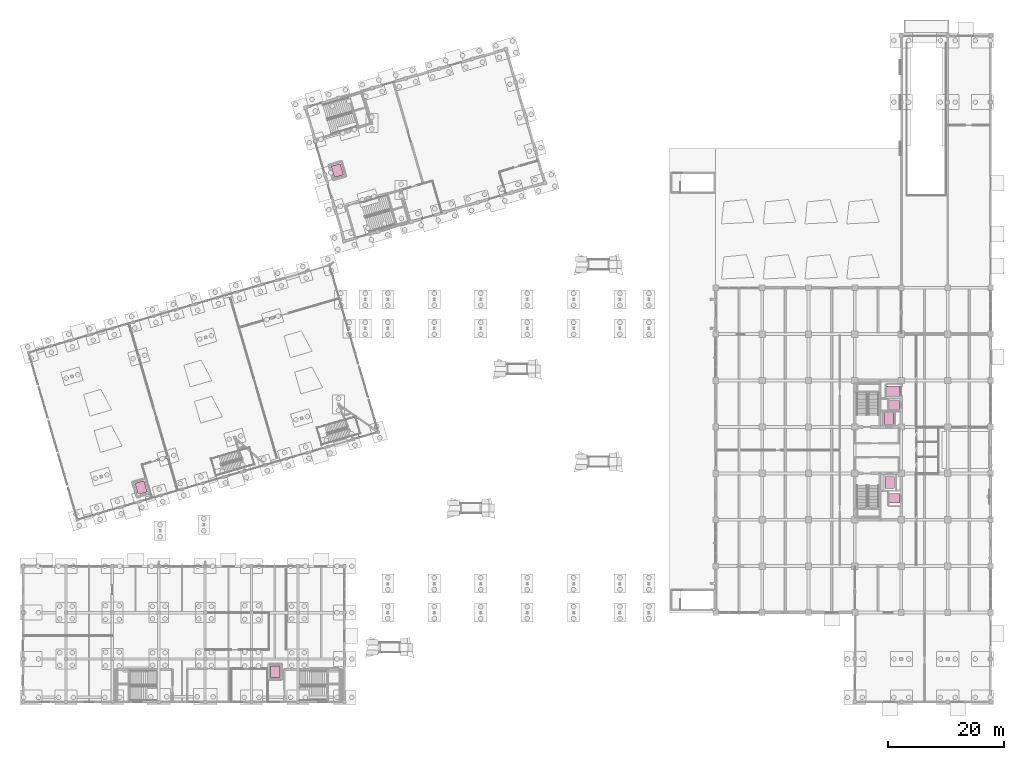
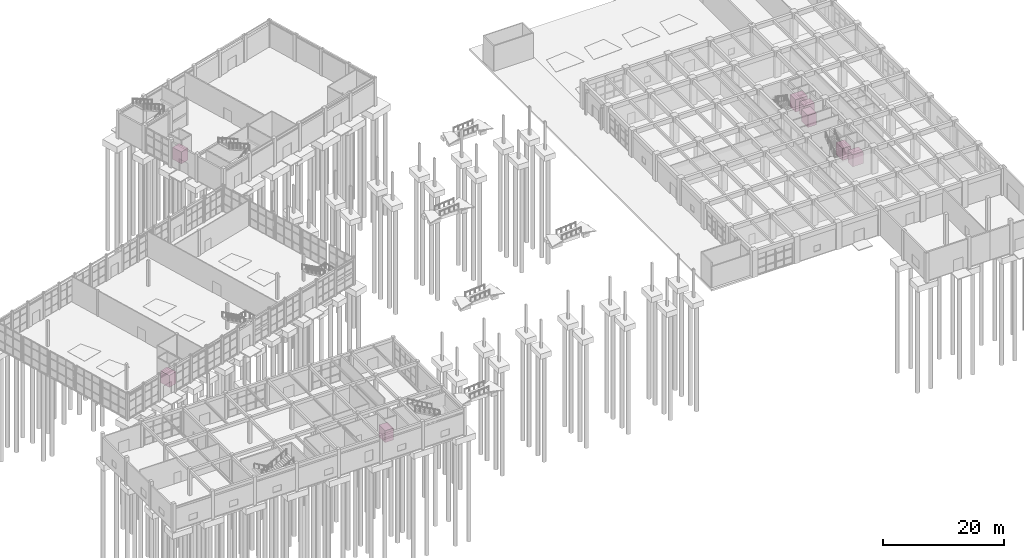
# One storey, part 90 of 90: 8 transport elements.
"""IFC4 building model written with IfcOpenShell, lengths in metres."""

from ifc_helpers import new_model, si_unit, direction, frame, origin, origin_2d, place, context, subcontext, project, spatial, rectangle, extrude, material, type_object, element, save


model = new_model("IFC4")

# Units and contexts
model_context = context("Model", 3, precision=1e-05, world=origin(), true_north=direction((0.0, 1.0)))
body_context = subcontext(model_context, "Body", "Model", "MODEL_VIEW")
ifc_project = project(units=[si_unit("LENGTHUNIT", "METRE"), si_unit("AREAUNIT", "SQUARE_METRE"), si_unit("VOLUMEUNIT", "CUBIC_METRE"), si_unit("PLANEANGLEUNIT", "RADIAN"), si_unit("MASSUNIT", "GRAM", prefix="KILO")], contexts=[model_context])

# Site, building, storey
site_placement = place(None, origin())
site = spatial("IfcSite", under=ifc_project, at=site_placement, CompositionType="ELEMENT")
building_placement = place(site_placement, origin())
building = spatial("IfcBuilding", under=site, at=building_placement, Name="Canggui Botanical Conservatory", CompositionType="ELEMENT")
storey_placement = place(building_placement, origin())
storey = spatial("IfcBuildingStorey", under=building, at=storey_placement, Name="L01", CompositionType="ELEMENT", Elevation=0.0)

# Transport elements
ifc_material = material(Name="Stainless Steel 304", Category="steel")
transport_element_type_1 = type_object("IfcTransportElementType", Name="LIFT-FF-1600", PredefinedType="ELEVATOR", material=ifc_material)
for number, where, z_axis, x_axis, name in (
    (1, (160.0, 48.39990234375, 0.0), (0.0, 0.0, 1.0), (1.0, 0.0, 0.0), "Tower South Firefighting and Stretcher Lift FL-01"),
    (2, (159.85009765625, 59.47998046875, 0.0), (0.0, 0.0, 1.0), (1.0, 0.0, 0.0), "Tower North Firefighting and Stretcher Lift FL-02"),
):
    element("IfcTransportElement", number, at=place(storey_placement, frame(where, z_axis=z_axis, x_axis=x_axis)), inside=storey, type_object=transport_element_type_1, Name=name, PredefinedType="ELEVATOR", context=body_context, shape_type="SweptSolid", body=[
        extrude(rectangle(XDim=1.60009765625, YDim=2.10009765625, at=origin_2d()), origin(), (0.0, 0.0, 1.0), 2.39990234375),
    ])
transport_element_type_2 = type_object("IfcTransportElementType", Name="LIFT-GD-2000", PredefinedType="ELEVATOR", material=ifc_material)
transport_element_placement = place(storey_placement, frame((160.60009765625, 64.14990234375, 0.0), z_axis=(0.0, 0.0, 1.0), x_axis=(0.0, 1.0, 0.0)))
element("IfcTransportElement", 3, at=transport_element_placement, inside=storey, type_object=transport_element_type_2, Name="Herbarium and Laboratory Heavy Goods Lift GL-01", PredefinedType="ELEVATOR", context=body_context, shape_type="SweptSolid", body=[
    extrude(rectangle(XDim=1.800048828125, YDim=2.300048828125, at=origin_2d()), origin(), (0.0, 0.0, 1.0), 2.5),
])
transport_element_type_3 = type_object("IfcTransportElementType", Name="LIFT-PS-1350", PredefinedType="ELEVATOR", material=ifc_material)
for number, where, z_axis, x_axis, name in (
    (4, (160.800048828125, 45.699951171875, 0.0), (0.0, 0.0, 1.0), (0.0, 1.0, 0.0), "Tower South Passenger Lift PL-01"),
    (5, (160.800048828125, 61.800048828125, 0.0), (0.0, 0.0, 1.0), (0.0, 1.0, 0.0), "Tower North Passenger Lift PL-02"),
    (6, (30.93798828125, 47.533935546875, 0.0), (0.0, 0.0, 1.0), (0.960000000041, 0.279999999861, 0.0), "Conservatory Canopy Skywalk Accessible Lift PL-03"),
    (7, (54.10009765625, 15.800048828125, 0.0), (0.0, 0.0, 1.0), (1.0, 0.0, 0.0), "Visitor Centre Accessible Passenger Lift PL-04"),
    (8, (64.785888671875, 102.197998046875, 0.0), (0.0, 0.0, 1.0), (0.960000000041, 0.279999999861, 0.0), "Auditorium Balcony Accessible Lift PL-05"),
):
    element("IfcTransportElement", number, at=place(storey_placement, frame(where, z_axis=z_axis, x_axis=x_axis)), inside=storey, type_object=transport_element_type_3, Name=name, PredefinedType="ELEVATOR", context=body_context, shape_type="SweptSolid", body=[
        extrude(rectangle(XDim=1.60009765625, YDim=2.0, at=origin_2d()), origin(), (0.0, 0.0, 1.0), 2.39990234375),
    ])

save(model, "model.ifc")
